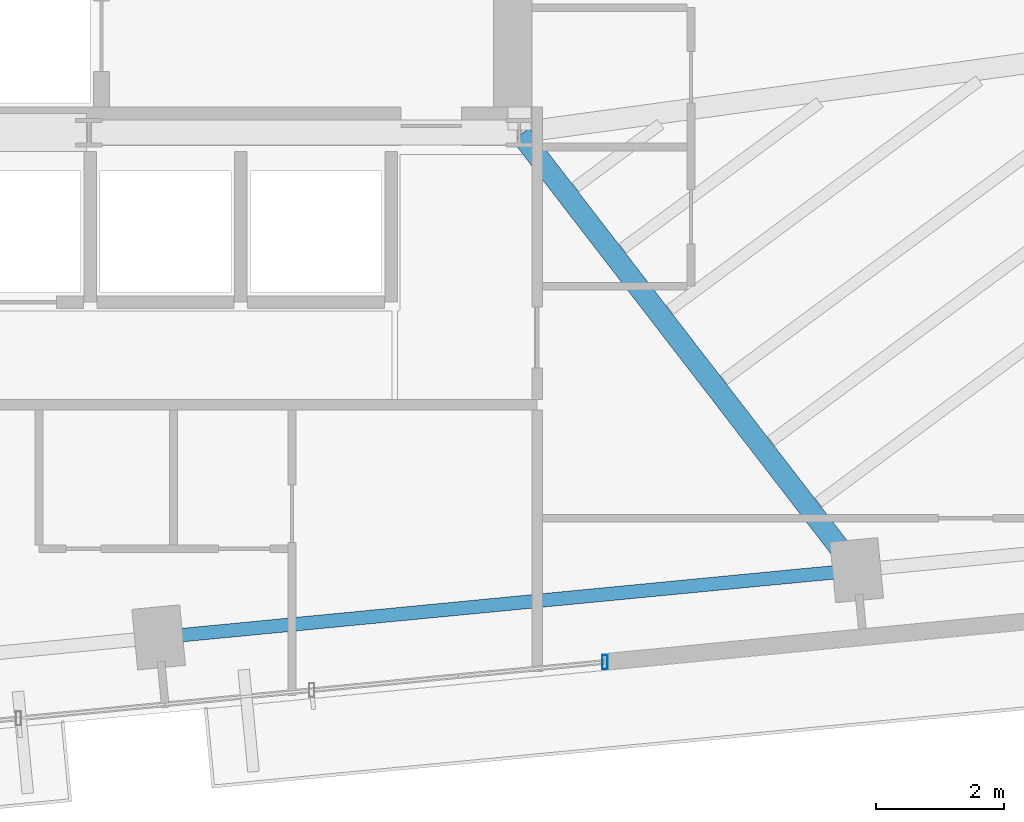
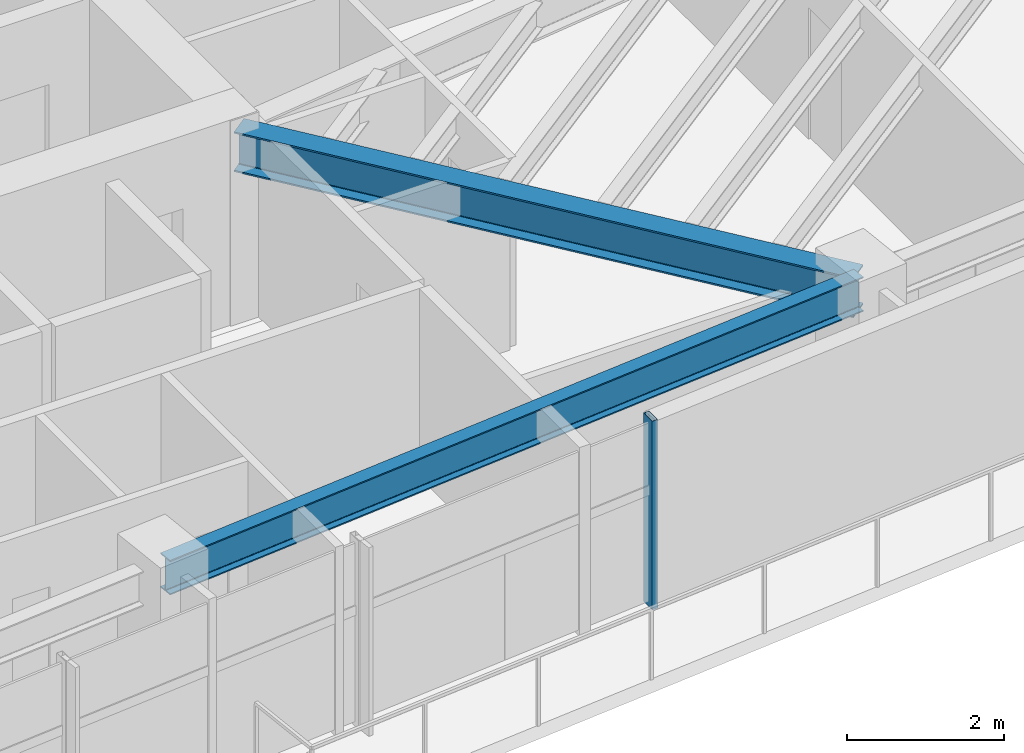
# One storey, part 8 of 18: 2 beams, 1 member, 1 element without a shape of its own.
"""IFC4 building model written with IfcOpenShell, lengths in metres."""

import ifcopenshell
import ifcopenshell.guid

model = None  # the IFC model being written
_history = None  # IfcOwnerHistory: only IFC2X3 demands one
_inside = {}  # id of a spatial element -> (the spatial element, [elements in it])
_under = {}  # id of a project, library or spatial element -> (it, [spatial elements below it])
_declared = {}  # id of a project -> (the project, [libraries it declares])
_typed = {}  # id of a type object -> (the type object, [elements of that type])
_made_of = {}  # id of a material, layer set ... -> (it, [elements and type objects made of it])


def new_model(schema):
    """Start an empty IFC model of exactly this schema.

    Asked for "IFC4X3", IfcOpenShell would pick the latest addendum, in which some entities
    have other attributes; the version numbers below select the first issue.
    IFC2X3 requires an IfcOwnerHistory on every rooted entity: one is made here for all.
    """
    global model, _history
    if schema == "IFC4X3":
        model = ifcopenshell.file(schema_version=(4, 3, 0, 0))
    else:
        model = ifcopenshell.file(schema=schema)
    _inside.clear()
    _under.clear()
    _declared.clear()
    _typed.clear()
    _made_of.clear()
    _history = None
    if model.schema == "IFC2X3":
        org = make("IfcOrganization", Name="unknown")
        user = make(
            "IfcPersonAndOrganization",
            ThePerson=make("IfcPerson", FamilyName="unknown"),
            TheOrganization=org,
        )
        app = make(
            "IfcApplication",
            ApplicationDeveloper=org,
            Version="unknown",
            ApplicationFullName="unknown",
            ApplicationIdentifier="unknown",
        )
        _history = make(
            "IfcOwnerHistory",
            OwningUser=user,
            OwningApplication=app,
            ChangeAction="ADDED",
            CreationDate=0,
        )
    return model


def make(cls, **values):
    """One entity of the class cls with the attributes given. An attribute that is None is left unset."""
    return model.create_entity(
        cls, **{name: value for name, value in values.items() if value is not None}
    )


def rooted(cls, **values):
    """An entity with a GlobalId (a new one), such as an element, a storey or a relation."""
    return make(cls, GlobalId=ifcopenshell.guid.new(), OwnerHistory=_history, **values)


def si_unit(unit_type, name, prefix=None):
    """IfcSIUnit, for example si_unit("LENGTHUNIT", "METRE", prefix="MILLI")."""
    return make("IfcSIUnit", UnitType=unit_type, Prefix=prefix, Name=name)


def assignment(units):
    """IfcUnitAssignment: the units of a project."""
    return None if units is None else make("IfcUnitAssignment", Units=units)


def point(xyz):
    """IfcCartesianPoint."""
    return None if xyz is None else make("IfcCartesianPoint", Coordinates=xyz)


def direction(xyz):
    """IfcDirection."""
    return None if xyz is None else make("IfcDirection", DirectionRatios=xyz)


def frame(location, z_axis=None, x_axis=None):
    """IfcAxis2Placement3D, a coordinate frame: its origin and axes. An axis left out is left unset."""
    return make(
        "IfcAxis2Placement3D",
        Location=point(location),
        Axis=direction(z_axis),
        RefDirection=direction(x_axis),
    )


def frame_2d(location, x_axis=None):
    """IfcAxis2Placement2D, a coordinate frame in the plane: its origin and x axis."""
    return make(
        "IfcAxis2Placement2D", Location=point(location), RefDirection=direction(x_axis)
    )


def origin():
    """The frame at (0, 0, 0) with its axes left unset."""
    return frame((0.0, 0.0, 0.0))


def origin_2d():
    """The frame at (0, 0) in the plane with its x axis left unset."""
    return frame_2d((0.0, 0.0))


def place(relative_to, where):
    """IfcLocalPlacement: puts the frame where relative to a parent placement (None: the world)."""
    return make(
        "IfcLocalPlacement", PlacementRelTo=relative_to, RelativePlacement=where
    )


def context(
    kind, dimensions, precision=None, world=None, true_north=None, identifier=None
):
    """IfcGeometricRepresentationContext, for example the 3D "Model" context."""
    return make(
        "IfcGeometricRepresentationContext",
        ContextIdentifier=identifier,
        ContextType=kind,
        CoordinateSpaceDimension=dimensions,
        Precision=precision,
        WorldCoordinateSystem=world,
        TrueNorth=true_north,
    )


def subcontext(parent, identifier, kind, view, scale=None):
    """IfcGeometricRepresentationSubContext, for example "Body" below "Model"."""
    return make(
        "IfcGeometricRepresentationSubContext",
        ContextIdentifier=identifier,
        ContextType=kind,
        ParentContext=parent,
        TargetScale=scale,
        TargetView=view,
    )


def project(units=None, contexts=None):
    """IfcProject with its units and contexts."""
    return rooted(
        "IfcProject",
        Name="project",
        RepresentationContexts=contexts,
        UnitsInContext=assignment(units),
    )


def spatial(cls, under=None, at=None, **own):
    """A site, building, storey or space (cls), placed at a placement, below another one or the project."""
    s = rooted(cls, ObjectPlacement=at, **own)
    if under is not None:
        _under.setdefault(under.id(), (under, []))[1].append(s)
    return s


def profile(cls, at=None, kind="AREA", **sizes):
    """A parametric profile (cls). Its sizes go by their IFC names, for example OverallWidth=200.0."""
    return make(cls, ProfileType=kind, Position=at, **sizes)


def hollow_rectangle(**sizes):
    """IfcRectangleHollowProfileDef."""
    return profile("IfcRectangleHollowProfileDef", **sizes)


def i_section(**sizes):
    """IfcIShapeProfileDef."""
    return profile("IfcIShapeProfileDef", **sizes)


def extrude(swept, where, along, depth):
    """IfcExtrudedAreaSolid: the profile swept, set in the frame where, extruded along a direction by depth."""
    return make(
        "IfcExtrudedAreaSolid",
        SweptArea=swept,
        Position=where,
        ExtrudedDirection=direction(along),
        Depth=depth,
    )


def shape(context_of_items, identifier, shape_type, items):
    """IfcShapeRepresentation: the items that make up one representation, for example the "Body"."""
    return make(
        "IfcShapeRepresentation",
        ContextOfItems=context_of_items,
        RepresentationIdentifier=identifier,
        RepresentationType=shape_type,
        Items=items,
    )


def source(mapping_origin, context_of_items, identifier, shape_type, items):
    """IfcRepresentationMap: a shape defined once, which mapped items show again and again."""
    return make(
        "IfcRepresentationMap",
        MappingOrigin=mapping_origin,
        MappedRepresentation=shape(context_of_items, identifier, shape_type, items),
    )


def transform(
    local_origin,
    x_axis=None,
    y_axis=None,
    z_axis=None,
    scale=None,
    scale2=None,
    scale3=None,
    uniform=True,
):
    """IfcCartesianTransformationOperator3D, or its non-uniform kind. x_axis, y_axis, z_axis: its Axis1, 2, 3."""
    if uniform:
        return make(
            "IfcCartesianTransformationOperator3D",
            Axis1=direction(x_axis),
            Axis2=direction(y_axis),
            LocalOrigin=point(local_origin),
            Scale=scale,
            Axis3=direction(z_axis),
        )
    return make(
        "IfcCartesianTransformationOperator3DnonUniform",
        Axis1=direction(x_axis),
        Axis2=direction(y_axis),
        LocalOrigin=point(local_origin),
        Scale=scale,
        Axis3=direction(z_axis),
        Scale2=scale2,
        Scale3=scale3,
    )


def mapped(mapping_source, mapping_target):
    """IfcMappedItem: shows the shape of a source again, moved by a transform."""
    return make(
        "IfcMappedItem", MappingSource=mapping_source, MappingTarget=mapping_target
    )


def material(Name=None, Category=None):
    """IfcMaterial."""
    return make("IfcMaterial", Name=Name, Category=Category)


def material_profile(
    of_material, cross_section, Name=None, Category=None, Priority=None
):
    """IfcMaterialProfile: a cross section and its material."""
    return make(
        "IfcMaterialProfile",
        Name=Name,
        Material=of_material,
        Profile=cross_section,
        Priority=Priority,
        Category=Category,
    )


def profile_set(profiles, Name=None, composite=None):
    """IfcMaterialProfileSet."""
    return make(
        "IfcMaterialProfileSet",
        Name=Name,
        MaterialProfiles=profiles,
        CompositeProfile=composite,
    )


def made_of(thing, what):
    """Note that an element or type object is made of a material, layer set ...; save() writes the relation."""
    if what is not None:
        _made_of.setdefault(what.id(), (what, []))[1].append(thing)
    return thing


def type_object(cls, material=None, **own):
    """A type object (cls), such as IfcWallType, which elements share."""
    return made_of(rooted(cls, **own), material)


def type_shapes(of_type, sources):
    """Give a type object the sources (RepresentationMaps) that its elements show as mapped items."""
    of_type.RepresentationMaps = sources


def element(
    cls,
    number,
    at=None,
    inside=None,
    cuts=None,
    type_object=None,
    material=None,
    context=None,
    identifier="Body",
    shape_type=None,
    held_by="IfcProductDefinitionShape",
    body=None,
    shapes=None,
    **own,
):
    """One element of the class cls, such as IfcWall. Its Tag is "e" and its number.

    at: its placement. inside: the storey or other place that contains it. cuts: it is an
    opening in that element (IfcRelVoidsElement). A single representation is given by context,
    identifier, shape_type and body (its items); several are given by shapes. held_by: the class
    of the entity that holds the representations. save() writes the other relations.
    """
    e = rooted(cls, Tag="e%d" % number, ObjectPlacement=at, **own)
    if body is not None:
        shapes = [shape(context, identifier, shape_type, body)]
    if shapes is not None:
        e.Representation = make(held_by, Representations=shapes)
    if inside is not None:
        _inside.setdefault(inside.id(), (inside, []))[1].append(e)
    if cuts is not None:
        rooted(
            "IfcRelVoidsElement", RelatingBuildingElement=cuts, RelatedOpeningElement=e
        )
    if type_object is not None:
        _typed.setdefault(type_object.id(), (type_object, []))[1].append(e)
    return made_of(e, material)


def aggregate(whole, parts):
    """IfcRelAggregates: a whole, such as a stair, and the parts it consists of."""
    return rooted("IfcRelAggregates", RelatingObject=whole, RelatedObjects=parts)


def save(model, path):
    """Write the relations noted so far, then the file.

    IfcRelAggregates (storeys below a building ...), IfcRelContainedInSpatialStructure (elements
    in a storey), IfcRelDefinesByType, IfcRelAssociatesMaterial and IfcRelDeclares: one each for
    every whole, place, type object, material and project.
    """
    for whole, parts in _under.values():
        aggregate(whole, parts)
    for where, things in _inside.values():
        rooted(
            "IfcRelContainedInSpatialStructure",
            RelatedElements=things,
            RelatingStructure=where,
        )
    for kind, things in _typed.values():
        rooted("IfcRelDefinesByType", RelatedObjects=things, RelatingType=kind)
    for what, things in _made_of.values():
        rooted("IfcRelAssociatesMaterial", RelatedObjects=things, RelatingMaterial=what)
    for by, libraries in _declared.values():
        rooted("IfcRelDeclares", RelatingContext=by, RelatedDefinitions=libraries)
    model.write(path)


model = new_model("IFC4")

# Units and contexts
model_context = context("Model", 3, precision=1e-05, world=origin(), true_north=direction((0.0, 1.0)))
body_context = subcontext(model_context, "Body", "Model", "MODEL_VIEW")
ifc_project = project(units=[si_unit("LENGTHUNIT", "METRE"), si_unit("AREAUNIT", "SQUARE_METRE"), si_unit("VOLUMEUNIT", "CUBIC_METRE"), si_unit("PLANEANGLEUNIT", "RADIAN"), si_unit("MASSUNIT", "GRAM", prefix="KILO")], contexts=[model_context])

# Site, building, storey
site_placement = place(None, origin())
site = spatial("IfcSite", under=ifc_project, at=site_placement, CompositionType="ELEMENT")
building_placement = place(site_placement, origin())
building = spatial("IfcBuilding", under=site, at=building_placement, Name="Astriad Promenade Condominiums", CompositionType="ELEMENT")
storey_placement = place(building_placement, frame((0.0, 0.0, 173.0)))
storey = spatial("IfcBuildingStorey", under=building, at=storey_placement, Name="L49", CompositionType="ELEMENT", Elevation=173.0)

# Beams
ifc_material_1 = material(Name="Steel ASTM A992 Grade 50", Category="steel")
ifc_material_profile_1 = material_profile(ifc_material_1, i_section(OverallWidth=0.210693359375, OverallDepth=0.53955078125, WebThickness=0.01171875, FlangeThickness=0.018798828125, FilletRadius=0.0166015625, at=origin_2d()), Name="W21X73")
ifc_profile_set_1 = profile_set([ifc_material_profile_1], Name="Steel ASTM A992 Grade 50")
beam_type_1 = type_object("IfcBeamType", Name="STEEL SPANDREL BEAM W21X73", PredefinedType="SPANDREL", material=ifc_profile_set_1)
shared_shape_1 = source(origin(), body_context, "Body", "SweptSolid", [
    extrude(i_section(OverallWidth=0.210693359375, OverallDepth=0.53955078125, WebThickness=0.01171875, FlangeThickness=0.018798828125, FilletRadius=0.0166015625, at=origin_2d()), origin(), (0.0, 0.0, 1.0), 10.8701171875),
])
type_shapes(beam_type_1, [shared_shape_1])
beam_1_placement = place(storey_placement, frame((40.008544921875, 9.520751953125, 2.67041015625), z_axis=(0.995397128983, 0.095836087217, 0.0), x_axis=(-0.095836087217, 0.995397128983, 0.0)))
element("IfcBeam", 1, at=beam_1_placement, inside=storey, type_object=beam_type_1, Name="Perimeter Spandrel Beam SP-S3-L49", PredefinedType="SPANDREL", context=body_context, shape_type="MappedRepresentation", body=[
    mapped(shared_shape_1, transform((0.0, 0.0, 0.0), scale=1.0)),
])
ifc_material_profile_2 = material_profile(ifc_material_1, i_section(OverallWidth=0.326416015625, OverallDepth=0.621826171875, WebThickness=0.015380859375, FlangeThickness=0.0244140625, FilletRadius=0.017822265625, at=origin_2d()), Name="W24X131")
ifc_profile_set_2 = profile_set([ifc_material_profile_2], Name="Steel ASTM A992 Grade 50")
beam_type_2 = type_object("IfcBeamType", Name="STEEL FLOOR GIRDER W24X131", PredefinedType="BEAM", material=ifc_profile_set_2)
shared_shape_2 = source(origin(), body_context, "Body", "SweptSolid", [
    extrude(i_section(OverallWidth=0.326416015625, OverallDepth=0.621826171875, WebThickness=0.015380859375, FlangeThickness=0.0244140625, FilletRadius=0.017822265625, at=origin_2d()), origin(), (0.0, 0.0, 1.0), 8.548583984375),
])
type_shapes(beam_type_2, [shared_shape_2])
beam_2_placement = place(storey_placement, frame((50.843994140625, 10.59814453125, 2.629150390625), z_axis=(-0.610561975536, 0.791968480452, 0.0), x_axis=(-0.791968480452, -0.610561975536, 0.0)))
element("IfcBeam", 2, at=beam_2_placement, inside=storey, type_object=beam_type_2, Name="Primary Floor Girder PG-E2-L49", PredefinedType="BEAM", context=body_context, shape_type="MappedRepresentation", body=[
    mapped(shared_shape_2, transform((0.0, 0.0, 0.0), scale=1.0)),
])

# Curtain wall, member
ifc_material_2 = material(Name="Anodised aluminium Black Dark Glass Unitised", Category="aluminium")
curtain_wall_type = type_object("IfcCurtainWallType", Name="CW-B34-DARK", PredefinedType="USERDEFINED", material=ifc_material_2)
curtain_wall_placement = place(storey_placement, origin())
curtain_wall = element("IfcCurtainWall", 3, at=curtain_wall_placement, inside=storey, type_object=curtain_wall_type, Name="CW-L49-S", ObjectType="UNITISED_CURTAIN_WALL", PredefinedType="USERDEFINED")
ifc_material_3 = material(Name="Anodised aluminium 6063-T6 Black", Category="aluminium")
ifc_material_profile_3 = material_profile(ifc_material_3, hollow_rectangle(XDim=0.0849609375, YDim=0.219970703125, WallThickness=0.0048828125, at=origin_2d()), Name="ALU-MUL-85X220")
ifc_profile_set_3 = profile_set([ifc_material_profile_3], Name="Anodised aluminium 6063-T6 Black")
member_type = type_object("IfcMemberType", Name="MUL-ALU-MUL-85X220", PredefinedType="MULLION", material=ifc_profile_set_3)
shared_shape_3 = source(origin(), body_context, "Body", "SweptSolid", [
    extrude(hollow_rectangle(XDim=0.0849609375, YDim=0.219970703125, WallThickness=0.0048828125, at=origin_2d()), origin(), (0.0, 0.0, 1.0), 2.93994140625),
])
type_shapes(member_type, [shared_shape_3])
member_placement = place(storey_placement, frame((46.9375, 9.133056640625, 0.0), z_axis=(0.0, 0.0, 1.0), x_axis=(1.0, 0.0, 0.0)))
member = element("IfcMember", 4, at=member_placement, type_object=member_type, Name="CW-L49-S-MUL-00", PredefinedType="MULLION", context=body_context, shape_type="MappedRepresentation", body=[
    mapped(shared_shape_3, transform((0.0, 0.0, 0.0), scale=1.0)),
])
aggregate(curtain_wall, [member])

save(model, "model.ifc")
